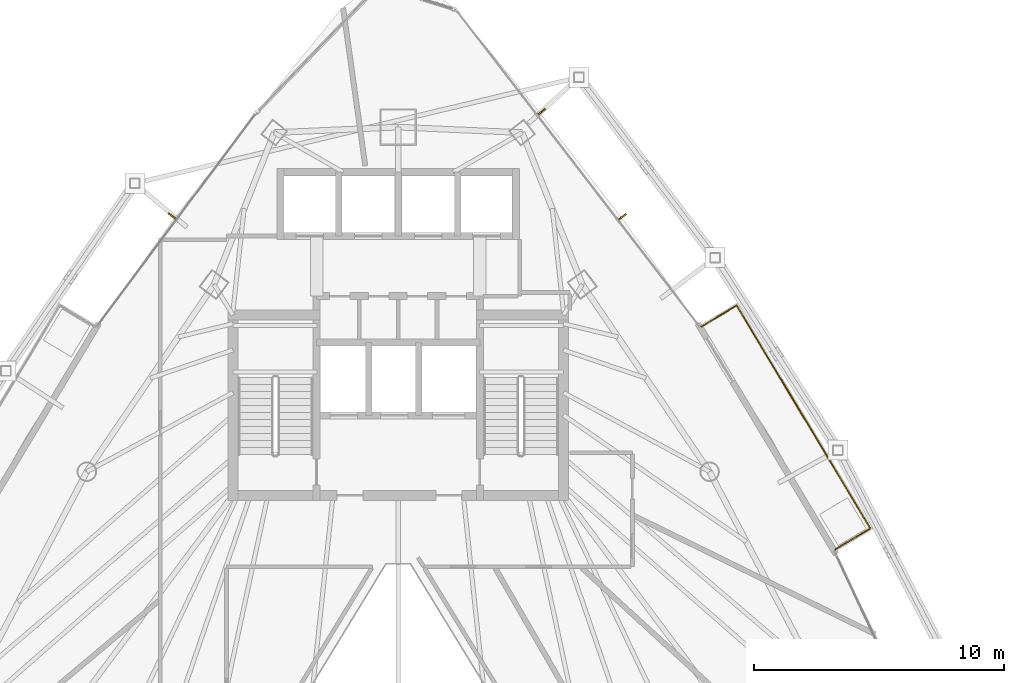
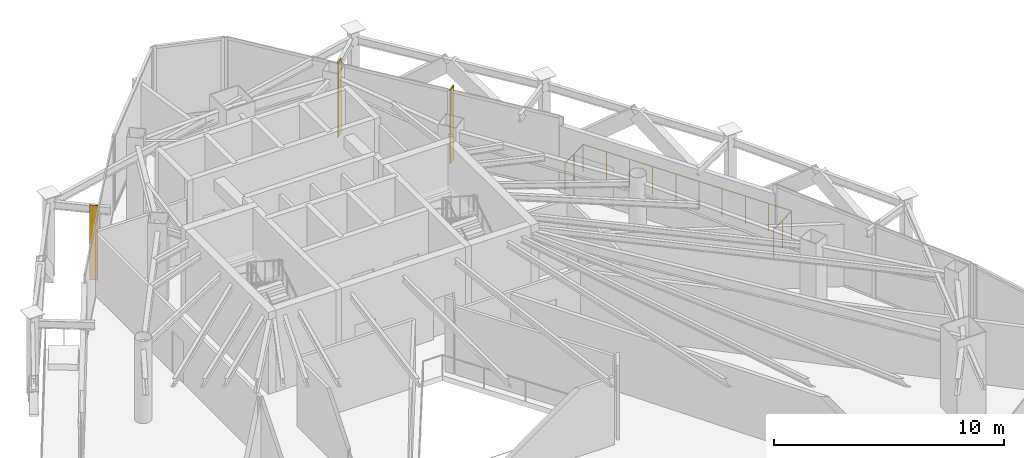
# One storey, part 27 of 27: 3 shading devices, 1 railing.
"""IFC4 building model written with IfcOpenShell, lengths in metres."""

import ifcopenshell
import ifcopenshell.guid

model = None  # the IFC model being written
_history = None  # IfcOwnerHistory: only IFC2X3 demands one
_inside = {}  # id of a spatial element -> (the spatial element, [elements in it])
_under = {}  # id of a project, library or spatial element -> (it, [spatial elements below it])
_declared = {}  # id of a project -> (the project, [libraries it declares])
_typed = {}  # id of a type object -> (the type object, [elements of that type])
_made_of = {}  # id of a material, layer set ... -> (it, [elements and type objects made of it])


def new_model(schema):
    """Start an empty IFC model of exactly this schema.

    Asked for "IFC4X3", IfcOpenShell would pick the latest addendum, in which some entities
    have other attributes; the version numbers below select the first issue.
    IFC2X3 requires an IfcOwnerHistory on every rooted entity: one is made here for all.
    """
    global model, _history
    if schema == "IFC4X3":
        model = ifcopenshell.file(schema_version=(4, 3, 0, 0))
    else:
        model = ifcopenshell.file(schema=schema)
    _inside.clear()
    _under.clear()
    _declared.clear()
    _typed.clear()
    _made_of.clear()
    _history = None
    if model.schema == "IFC2X3":
        org = make("IfcOrganization", Name="unknown")
        user = make(
            "IfcPersonAndOrganization",
            ThePerson=make("IfcPerson", FamilyName="unknown"),
            TheOrganization=org,
        )
        app = make(
            "IfcApplication",
            ApplicationDeveloper=org,
            Version="unknown",
            ApplicationFullName="unknown",
            ApplicationIdentifier="unknown",
        )
        _history = make(
            "IfcOwnerHistory",
            OwningUser=user,
            OwningApplication=app,
            ChangeAction="ADDED",
            CreationDate=0,
        )
    return model


def make(cls, **values):
    """One entity of the class cls with the attributes given. An attribute that is None is left unset."""
    return model.create_entity(
        cls, **{name: value for name, value in values.items() if value is not None}
    )


def rooted(cls, **values):
    """An entity with a GlobalId (a new one), such as an element, a storey or a relation."""
    return make(cls, GlobalId=ifcopenshell.guid.new(), OwnerHistory=_history, **values)


def si_unit(unit_type, name, prefix=None):
    """IfcSIUnit, for example si_unit("LENGTHUNIT", "METRE", prefix="MILLI")."""
    return make("IfcSIUnit", UnitType=unit_type, Prefix=prefix, Name=name)


def assignment(units):
    """IfcUnitAssignment: the units of a project."""
    return None if units is None else make("IfcUnitAssignment", Units=units)


def point(xyz):
    """IfcCartesianPoint."""
    return None if xyz is None else make("IfcCartesianPoint", Coordinates=xyz)


def direction(xyz):
    """IfcDirection."""
    return None if xyz is None else make("IfcDirection", DirectionRatios=xyz)


def frame(location, z_axis=None, x_axis=None):
    """IfcAxis2Placement3D, a coordinate frame: its origin and axes. An axis left out is left unset."""
    return make(
        "IfcAxis2Placement3D",
        Location=point(location),
        Axis=direction(z_axis),
        RefDirection=direction(x_axis),
    )


def frame_2d(location, x_axis=None):
    """IfcAxis2Placement2D, a coordinate frame in the plane: its origin and x axis."""
    return make(
        "IfcAxis2Placement2D", Location=point(location), RefDirection=direction(x_axis)
    )


def origin():
    """The frame at (0, 0, 0) with its axes left unset."""
    return frame((0.0, 0.0, 0.0))


def origin_2d():
    """The frame at (0, 0) in the plane with its x axis left unset."""
    return frame_2d((0.0, 0.0))


def place(relative_to, where):
    """IfcLocalPlacement: puts the frame where relative to a parent placement (None: the world)."""
    return make(
        "IfcLocalPlacement", PlacementRelTo=relative_to, RelativePlacement=where
    )


def context(
    kind, dimensions, precision=None, world=None, true_north=None, identifier=None
):
    """IfcGeometricRepresentationContext, for example the 3D "Model" context."""
    return make(
        "IfcGeometricRepresentationContext",
        ContextIdentifier=identifier,
        ContextType=kind,
        CoordinateSpaceDimension=dimensions,
        Precision=precision,
        WorldCoordinateSystem=world,
        TrueNorth=true_north,
    )


def subcontext(parent, identifier, kind, view, scale=None):
    """IfcGeometricRepresentationSubContext, for example "Body" below "Model"."""
    return make(
        "IfcGeometricRepresentationSubContext",
        ContextIdentifier=identifier,
        ContextType=kind,
        ParentContext=parent,
        TargetScale=scale,
        TargetView=view,
    )


def project(units=None, contexts=None):
    """IfcProject with its units and contexts."""
    return rooted(
        "IfcProject",
        Name="project",
        RepresentationContexts=contexts,
        UnitsInContext=assignment(units),
    )


def spatial(cls, under=None, at=None, **own):
    """A site, building, storey or space (cls), placed at a placement, below another one or the project."""
    s = rooted(cls, ObjectPlacement=at, **own)
    if under is not None:
        _under.setdefault(under.id(), (under, []))[1].append(s)
    return s


def profile(cls, at=None, kind="AREA", **sizes):
    """A parametric profile (cls). Its sizes go by their IFC names, for example OverallWidth=200.0."""
    return make(cls, ProfileType=kind, Position=at, **sizes)


def rectangle(**sizes):
    """IfcRectangleProfileDef."""
    return profile("IfcRectangleProfileDef", **sizes)


def circle(**sizes):
    """IfcCircleProfileDef."""
    return profile("IfcCircleProfileDef", **sizes)


def extrude(swept, where, along, depth):
    """IfcExtrudedAreaSolid: the profile swept, set in the frame where, extruded along a direction by depth."""
    return make(
        "IfcExtrudedAreaSolid",
        SweptArea=swept,
        Position=where,
        ExtrudedDirection=direction(along),
        Depth=depth,
    )


def shape(context_of_items, identifier, shape_type, items):
    """IfcShapeRepresentation: the items that make up one representation, for example the "Body"."""
    return make(
        "IfcShapeRepresentation",
        ContextOfItems=context_of_items,
        RepresentationIdentifier=identifier,
        RepresentationType=shape_type,
        Items=items,
    )


def material(Name=None, Category=None):
    """IfcMaterial."""
    return make("IfcMaterial", Name=Name, Category=Category)


def layer(
    of_material, thickness, ventilated=None, Name=None, Category=None, Priority=None
):
    """IfcMaterialLayer: one layer of a wall or slab, of a material (None: an air gap)."""
    return make(
        "IfcMaterialLayer",
        Material=of_material,
        LayerThickness=thickness,
        IsVentilated=ventilated,
        Name=Name,
        Category=Category,
        Priority=Priority,
    )


def layer_set(layers, Name=None):
    """IfcMaterialLayerSet."""
    return make("IfcMaterialLayerSet", MaterialLayers=layers, LayerSetName=Name)


def made_of(thing, what):
    """Note that an element or type object is made of a material, layer set ...; save() writes the relation."""
    if what is not None:
        _made_of.setdefault(what.id(), (what, []))[1].append(thing)
    return thing


def type_object(cls, material=None, **own):
    """A type object (cls), such as IfcWallType, which elements share."""
    return made_of(rooted(cls, **own), material)


def element(
    cls,
    number,
    at=None,
    inside=None,
    cuts=None,
    type_object=None,
    material=None,
    context=None,
    identifier="Body",
    shape_type=None,
    held_by="IfcProductDefinitionShape",
    body=None,
    shapes=None,
    **own,
):
    """One element of the class cls, such as IfcWall. Its Tag is "e" and its number.

    at: its placement. inside: the storey or other place that contains it. cuts: it is an
    opening in that element (IfcRelVoidsElement). A single representation is given by context,
    identifier, shape_type and body (its items); several are given by shapes. held_by: the class
    of the entity that holds the representations. save() writes the other relations.
    """
    e = rooted(cls, Tag="e%d" % number, ObjectPlacement=at, **own)
    if body is not None:
        shapes = [shape(context, identifier, shape_type, body)]
    if shapes is not None:
        e.Representation = make(held_by, Representations=shapes)
    if inside is not None:
        _inside.setdefault(inside.id(), (inside, []))[1].append(e)
    if cuts is not None:
        rooted(
            "IfcRelVoidsElement", RelatingBuildingElement=cuts, RelatedOpeningElement=e
        )
    if type_object is not None:
        _typed.setdefault(type_object.id(), (type_object, []))[1].append(e)
    return made_of(e, material)


def aggregate(whole, parts):
    """IfcRelAggregates: a whole, such as a stair, and the parts it consists of."""
    return rooted("IfcRelAggregates", RelatingObject=whole, RelatedObjects=parts)


def save(model, path):
    """Write the relations noted so far, then the file.

    IfcRelAggregates (storeys below a building ...), IfcRelContainedInSpatialStructure (elements
    in a storey), IfcRelDefinesByType, IfcRelAssociatesMaterial and IfcRelDeclares: one each for
    every whole, place, type object, material and project.
    """
    for whole, parts in _under.values():
        aggregate(whole, parts)
    for where, things in _inside.values():
        rooted(
            "IfcRelContainedInSpatialStructure",
            RelatedElements=things,
            RelatingStructure=where,
        )
    for kind, things in _typed.values():
        rooted("IfcRelDefinesByType", RelatedObjects=things, RelatingType=kind)
    for what, things in _made_of.values():
        rooted("IfcRelAssociatesMaterial", RelatedObjects=things, RelatingMaterial=what)
    for by, libraries in _declared.values():
        rooted("IfcRelDeclares", RelatingContext=by, RelatedDefinitions=libraries)
    model.write(path)


model = new_model("IFC4")

# Units and contexts
model_context = context("Model", 3, precision=1e-05, world=origin(), true_north=direction((0.0, 1.0)))
body_context = subcontext(model_context, "Body", "Model", "MODEL_VIEW")
ifc_project = project(units=[si_unit("LENGTHUNIT", "METRE"), si_unit("AREAUNIT", "SQUARE_METRE"), si_unit("VOLUMEUNIT", "CUBIC_METRE"), si_unit("PLANEANGLEUNIT", "RADIAN"), si_unit("MASSUNIT", "GRAM", prefix="KILO")], contexts=[model_context])

# Site, building, storey
site_placement = place(None, origin())
site = spatial("IfcSite", under=ifc_project, at=site_placement, CompositionType="ELEMENT")
building_placement = place(site_placement, origin())
building = spatial("IfcBuilding", under=site, at=building_placement, Name="Orvanel Arch Residences", CompositionType="ELEMENT")
storey_placement = place(building_placement, frame((0.0, 0.0, 186.949951171875)))
storey = spatial("IfcBuildingStorey", under=building, at=storey_placement, Name="L53", CompositionType="ELEMENT", Elevation=186.949951171875)

# Shading devices
ifc_material = material(Name="Bronze-anodised aluminium AA6063-T6", Category="aluminium")
ifc_layer = layer(ifc_material, 0.06005859375)
ifc_layer_set = layer_set([ifc_layer], Name="Bronze-anodised aluminium AA6063-T6")
shading_device_type = type_object("IfcShadingDeviceType", Name="FIN-BRZ-380", PredefinedType="USERDEFINED", material=ifc_layer_set)
for number, where, z_axis, x_axis, name in (
    (1, (23.98095703125, 37.844970703125, 0.0), (0.0, 0.0, 1.0), (-0.800731370949, 0.599023598516, 0.0), "L53 Anodised Bronze Mullion FIN 01"),
    (2, (41.949951171875, 37.81494140625, 0.0), (0.0, 0.0, 1.0), (0.792289643355, 0.610145163901, 0.0), "L53 Anodised Bronze Mullion FIN 01"),
    (3, (38.722900390625, 42.008056640625, 0.0), (0.0, 0.0, 1.0), (0.792289643355, 0.610145163901, 0.0), "L53 Anodised Bronze Mullion FIN 02"),
):
    element("IfcShadingDevice", number, at=place(storey_placement, frame(where, z_axis=z_axis, x_axis=x_axis)), inside=storey, type_object=shading_device_type, Name=name, ObjectType="FIN", PredefinedType="USERDEFINED", context=body_context, shape_type="SweptSolid", body=[
        extrude(rectangle(XDim=0.3798828125, YDim=0.06005859375, at=origin_2d()), origin(), (0.0, 0.0, 1.0), 3.949951171875),
    ])

# Railing
railing_type = type_object("IfcRailingType", Name="RL-BAL-1480", PredefinedType="BALUSTRADE", material=ifc_material)
railing_placement = place(storey_placement, frame((50.445068359375, 24.531982421875, 0.0)))
element("IfcRailing", 4, at=railing_placement, inside=storey, type_object=railing_type, Name="L53 Balcony Perimeter Guardrail Face 3", PredefinedType="BALUSTRADE", context=body_context, shape_type="SweptSolid", body=[
    extrude(circle(Radius=0.02392578125, at=origin_2d()), frame((0.001220703125, 0.000732421875, 1.4560546875), z_axis=(0.857545439568, 0.514408222208, 0.0), x_axis=(-0.514408222208, 0.857545439568, 0.0)), (0.0, 0.0, 1.0), 1.6376953125),
    extrude(circle(Radius=0.02392578125, at=origin_2d()), frame((1.40625, 0.84521484375, 1.4560546875), z_axis=(-0.514385063154, 0.857559331361, 0.0), x_axis=(-0.857559331361, -0.514385063154, 0.0)), (0.0, 0.0, 1.0), 10.376708984375),
    extrude(circle(Radius=0.02392578125, at=origin_2d()), frame((-3.933349609375, 9.744384765625, 1.4560546875), z_axis=(-0.857387817543, -0.514670895164, 0.0), x_axis=(0.514670895164, -0.857387817543, 0.0)), (0.0, 0.0, 1.0), 1.636962890625),
    extrude(circle(Radius=0.02099609375, at=origin_2d()), origin(), (0.0, 0.0, 1.0), 1.429931640625),
    extrude(circle(Radius=0.02099609375, at=origin_2d()), frame((0.70361328125, 0.421875, 0.0)), (0.0, 0.0, 1.0), 1.429931640625),
    extrude(circle(Radius=0.02099609375, at=origin_2d()), frame((1.406982421875, 0.843994140625, 0.0)), (0.0, 0.0, 1.0), 1.429931640625),
    extrude(circle(Radius=0.02099609375, at=origin_2d()), frame((0.813720703125, 1.8330078125, 0.0)), (0.0, 0.0, 1.0), 1.429931640625),
    extrude(circle(Radius=0.02099609375, at=origin_2d()), frame((0.220458984375, 2.822021484375, 0.0)), (0.0, 0.0, 1.0), 1.429931640625),
    extrude(circle(Radius=0.02099609375, at=origin_2d()), frame((-0.372802734375, 3.81103515625, 0.0)), (0.0, 0.0, 1.0), 1.429931640625),
    extrude(circle(Radius=0.02099609375, at=origin_2d()), frame((-0.966064453125, 4.800048828125, 0.0)), (0.0, 0.0, 1.0), 1.429931640625),
    extrude(circle(Radius=0.02099609375, at=origin_2d()), frame((-1.55908203125, 5.7890625, 0.0)), (0.0, 0.0, 1.0), 1.429931640625),
    extrude(circle(Radius=0.02099609375, at=origin_2d()), frame((-2.15234375, 6.778076171875, 0.0)), (0.0, 0.0, 1.0), 1.429931640625),
    extrude(circle(Radius=0.02099609375, at=origin_2d()), frame((-2.74560546875, 7.76708984375, 0.0)), (0.0, 0.0, 1.0), 1.429931640625),
    extrude(circle(Radius=0.02099609375, at=origin_2d()), frame((-3.3388671875, 8.756103515625, 0.0)), (0.0, 0.0, 1.0), 1.429931640625),
    extrude(circle(Radius=0.02099609375, at=origin_2d()), frame((-3.93212890625, 9.7451171875, 0.0)), (0.0, 0.0, 1.0), 1.429931640625),
    extrude(circle(Radius=0.02099609375, at=origin_2d()), frame((-4.63525390625, 9.3232421875, 0.0)), (0.0, 0.0, 1.0), 1.429931640625),
    extrude(circle(Radius=0.02099609375, at=origin_2d()), frame((-5.338134765625, 8.901123046875, 0.0)), (0.0, 0.0, 1.0), 1.429931640625),
])

save(model, "model.ifc")
